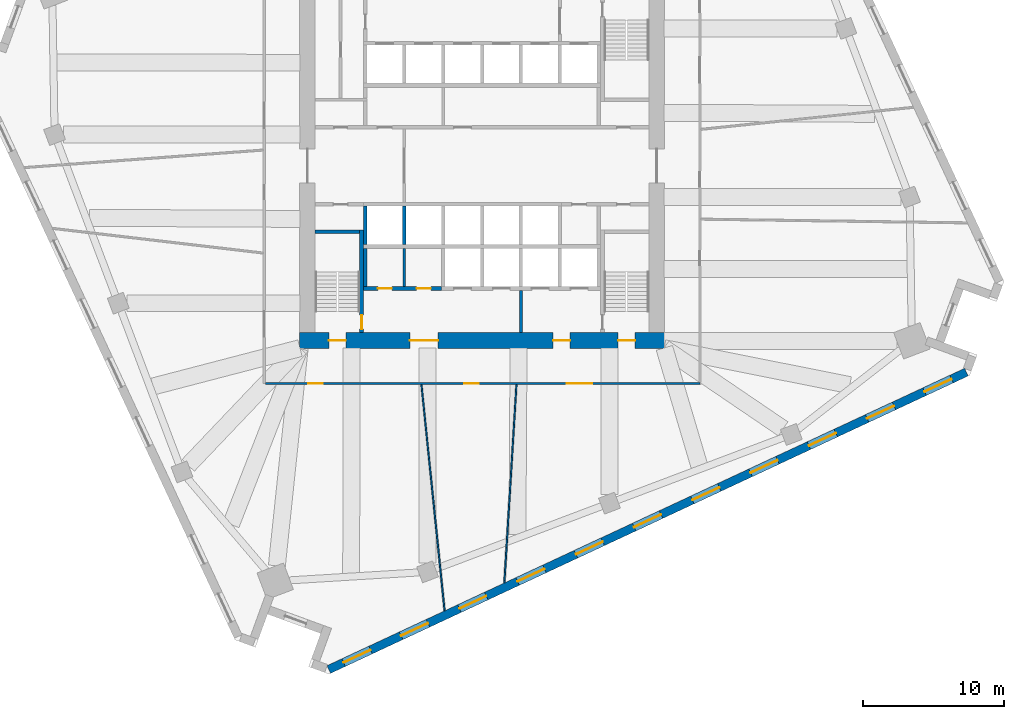
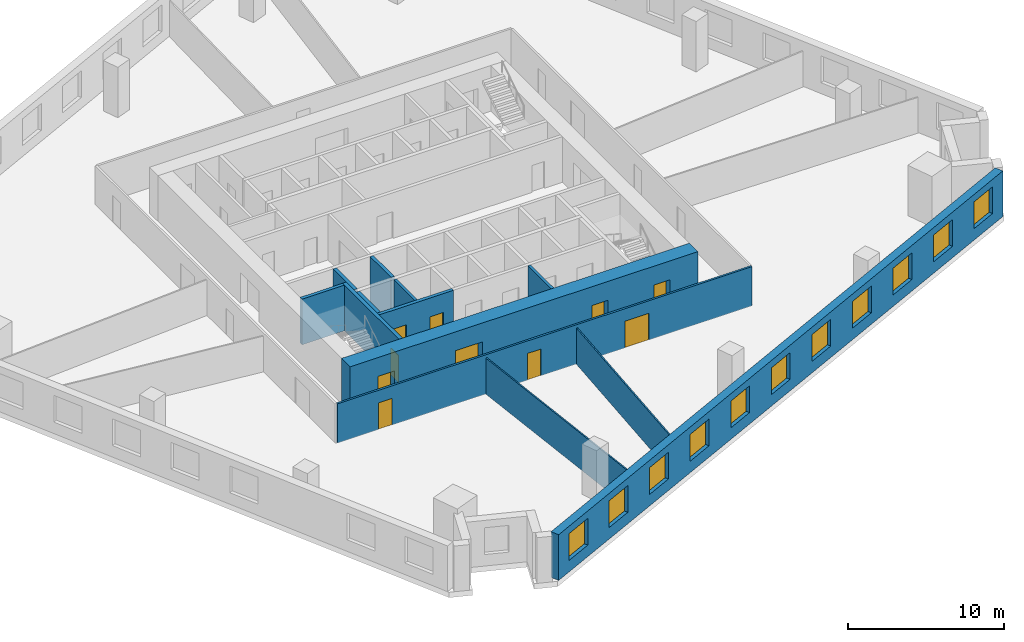
# One storey, part 6 of 12: 13 walls, 11 windows, 10 doors, 21 openings.
"""IFC4 building model written with IfcOpenShell, lengths in metres."""

import ifcopenshell
import ifcopenshell.guid

model = None  # the IFC model being written
_history = None  # IfcOwnerHistory: only IFC2X3 demands one
_inside = {}  # id of a spatial element -> (the spatial element, [elements in it])
_under = {}  # id of a project, library or spatial element -> (it, [spatial elements below it])
_declared = {}  # id of a project -> (the project, [libraries it declares])
_typed = {}  # id of a type object -> (the type object, [elements of that type])
_made_of = {}  # id of a material, layer set ... -> (it, [elements and type objects made of it])


def new_model(schema):
    """Start an empty IFC model of exactly this schema.

    Asked for "IFC4X3", IfcOpenShell would pick the latest addendum, in which some entities
    have other attributes; the version numbers below select the first issue.
    IFC2X3 requires an IfcOwnerHistory on every rooted entity: one is made here for all.
    """
    global model, _history
    if schema == "IFC4X3":
        model = ifcopenshell.file(schema_version=(4, 3, 0, 0))
    else:
        model = ifcopenshell.file(schema=schema)
    _inside.clear()
    _under.clear()
    _declared.clear()
    _typed.clear()
    _made_of.clear()
    _history = None
    if model.schema == "IFC2X3":
        org = make("IfcOrganization", Name="unknown")
        user = make(
            "IfcPersonAndOrganization",
            ThePerson=make("IfcPerson", FamilyName="unknown"),
            TheOrganization=org,
        )
        app = make(
            "IfcApplication",
            ApplicationDeveloper=org,
            Version="unknown",
            ApplicationFullName="unknown",
            ApplicationIdentifier="unknown",
        )
        _history = make(
            "IfcOwnerHistory",
            OwningUser=user,
            OwningApplication=app,
            ChangeAction="ADDED",
            CreationDate=0,
        )
    return model


def make(cls, **values):
    """One entity of the class cls with the attributes given. An attribute that is None is left unset."""
    return model.create_entity(
        cls, **{name: value for name, value in values.items() if value is not None}
    )


def rooted(cls, **values):
    """An entity with a GlobalId (a new one), such as an element, a storey or a relation."""
    return make(cls, GlobalId=ifcopenshell.guid.new(), OwnerHistory=_history, **values)


def si_unit(unit_type, name, prefix=None):
    """IfcSIUnit, for example si_unit("LENGTHUNIT", "METRE", prefix="MILLI")."""
    return make("IfcSIUnit", UnitType=unit_type, Prefix=prefix, Name=name)


def assignment(units):
    """IfcUnitAssignment: the units of a project."""
    return None if units is None else make("IfcUnitAssignment", Units=units)


def point(xyz):
    """IfcCartesianPoint."""
    return None if xyz is None else make("IfcCartesianPoint", Coordinates=xyz)


def direction(xyz):
    """IfcDirection."""
    return None if xyz is None else make("IfcDirection", DirectionRatios=xyz)


def frame(location, z_axis=None, x_axis=None):
    """IfcAxis2Placement3D, a coordinate frame: its origin and axes. An axis left out is left unset."""
    return make(
        "IfcAxis2Placement3D",
        Location=point(location),
        Axis=direction(z_axis),
        RefDirection=direction(x_axis),
    )


def frame_2d(location, x_axis=None):
    """IfcAxis2Placement2D, a coordinate frame in the plane: its origin and x axis."""
    return make(
        "IfcAxis2Placement2D", Location=point(location), RefDirection=direction(x_axis)
    )


def origin():
    """The frame at (0, 0, 0) with its axes left unset."""
    return frame((0.0, 0.0, 0.0))


def place(relative_to, where):
    """IfcLocalPlacement: puts the frame where relative to a parent placement (None: the world)."""
    return make(
        "IfcLocalPlacement", PlacementRelTo=relative_to, RelativePlacement=where
    )


def context(
    kind, dimensions, precision=None, world=None, true_north=None, identifier=None
):
    """IfcGeometricRepresentationContext, for example the 3D "Model" context."""
    return make(
        "IfcGeometricRepresentationContext",
        ContextIdentifier=identifier,
        ContextType=kind,
        CoordinateSpaceDimension=dimensions,
        Precision=precision,
        WorldCoordinateSystem=world,
        TrueNorth=true_north,
    )


def subcontext(parent, identifier, kind, view, scale=None):
    """IfcGeometricRepresentationSubContext, for example "Body" below "Model"."""
    return make(
        "IfcGeometricRepresentationSubContext",
        ContextIdentifier=identifier,
        ContextType=kind,
        ParentContext=parent,
        TargetScale=scale,
        TargetView=view,
    )


def project(units=None, contexts=None):
    """IfcProject with its units and contexts."""
    return rooted(
        "IfcProject",
        Name="project",
        RepresentationContexts=contexts,
        UnitsInContext=assignment(units),
    )


def spatial(cls, under=None, at=None, **own):
    """A site, building, storey or space (cls), placed at a placement, below another one or the project."""
    s = rooted(cls, ObjectPlacement=at, **own)
    if under is not None:
        _under.setdefault(under.id(), (under, []))[1].append(s)
    return s


def profile(cls, at=None, kind="AREA", **sizes):
    """A parametric profile (cls). Its sizes go by their IFC names, for example OverallWidth=200.0."""
    return make(cls, ProfileType=kind, Position=at, **sizes)


def rectangle(**sizes):
    """IfcRectangleProfileDef."""
    return profile("IfcRectangleProfileDef", **sizes)


def extrude(swept, where, along, depth):
    """IfcExtrudedAreaSolid: the profile swept, set in the frame where, extruded along a direction by depth."""
    return make(
        "IfcExtrudedAreaSolid",
        SweptArea=swept,
        Position=where,
        ExtrudedDirection=direction(along),
        Depth=depth,
    )


def shape(context_of_items, identifier, shape_type, items):
    """IfcShapeRepresentation: the items that make up one representation, for example the "Body"."""
    return make(
        "IfcShapeRepresentation",
        ContextOfItems=context_of_items,
        RepresentationIdentifier=identifier,
        RepresentationType=shape_type,
        Items=items,
    )


def material(Name=None, Category=None):
    """IfcMaterial."""
    return make("IfcMaterial", Name=Name, Category=Category)


def layer(
    of_material, thickness, ventilated=None, Name=None, Category=None, Priority=None
):
    """IfcMaterialLayer: one layer of a wall or slab, of a material (None: an air gap)."""
    return make(
        "IfcMaterialLayer",
        Material=of_material,
        LayerThickness=thickness,
        IsVentilated=ventilated,
        Name=Name,
        Category=Category,
        Priority=Priority,
    )


def layer_set(layers, Name=None):
    """IfcMaterialLayerSet."""
    return make("IfcMaterialLayerSet", MaterialLayers=layers, LayerSetName=Name)


def made_of(thing, what):
    """Note that an element or type object is made of a material, layer set ...; save() writes the relation."""
    if what is not None:
        _made_of.setdefault(what.id(), (what, []))[1].append(thing)
    return thing


def type_object(cls, material=None, **own):
    """A type object (cls), such as IfcWallType, which elements share."""
    return made_of(rooted(cls, **own), material)


def element(
    cls,
    number,
    at=None,
    inside=None,
    cuts=None,
    type_object=None,
    material=None,
    context=None,
    identifier="Body",
    shape_type=None,
    held_by="IfcProductDefinitionShape",
    body=None,
    shapes=None,
    **own,
):
    """One element of the class cls, such as IfcWall. Its Tag is "e" and its number.

    at: its placement. inside: the storey or other place that contains it. cuts: it is an
    opening in that element (IfcRelVoidsElement). A single representation is given by context,
    identifier, shape_type and body (its items); several are given by shapes. held_by: the class
    of the entity that holds the representations. save() writes the other relations.
    """
    e = rooted(cls, Tag="e%d" % number, ObjectPlacement=at, **own)
    if body is not None:
        shapes = [shape(context, identifier, shape_type, body)]
    if shapes is not None:
        e.Representation = make(held_by, Representations=shapes)
    if inside is not None:
        _inside.setdefault(inside.id(), (inside, []))[1].append(e)
    if cuts is not None:
        rooted(
            "IfcRelVoidsElement", RelatingBuildingElement=cuts, RelatedOpeningElement=e
        )
    if type_object is not None:
        _typed.setdefault(type_object.id(), (type_object, []))[1].append(e)
    return made_of(e, material)


def fill(opening, filler):
    """IfcRelFillsElement: the door or window that sits in an opening."""
    return rooted(
        "IfcRelFillsElement",
        RelatingOpeningElement=opening,
        RelatedBuildingElement=filler,
    )


def aggregate(whole, parts):
    """IfcRelAggregates: a whole, such as a stair, and the parts it consists of."""
    return rooted("IfcRelAggregates", RelatingObject=whole, RelatedObjects=parts)


def save(model, path):
    """Write the relations noted so far, then the file.

    IfcRelAggregates (storeys below a building ...), IfcRelContainedInSpatialStructure (elements
    in a storey), IfcRelDefinesByType, IfcRelAssociatesMaterial and IfcRelDeclares: one each for
    every whole, place, type object, material and project.
    """
    for whole, parts in _under.values():
        aggregate(whole, parts)
    for where, things in _inside.values():
        rooted(
            "IfcRelContainedInSpatialStructure",
            RelatedElements=things,
            RelatingStructure=where,
        )
    for kind, things in _typed.values():
        rooted("IfcRelDefinesByType", RelatedObjects=things, RelatingType=kind)
    for what, things in _made_of.values():
        rooted("IfcRelAssociatesMaterial", RelatedObjects=things, RelatingMaterial=what)
    for by, libraries in _declared.values():
        rooted("IfcRelDeclares", RelatingContext=by, RelatedDefinitions=libraries)
    model.write(path)


model = new_model("IFC4")

# Units and contexts
model_context = context("Model", 3, precision=1e-05, world=origin(), true_north=direction((0.0, 1.0)))
body_context = subcontext(model_context, "Body", "Model", "MODEL_VIEW")
ifc_project = project(units=[si_unit("LENGTHUNIT", "METRE"), si_unit("AREAUNIT", "SQUARE_METRE"), si_unit("VOLUMEUNIT", "CUBIC_METRE"), si_unit("PLANEANGLEUNIT", "RADIAN"), si_unit("MASSUNIT", "GRAM", prefix="KILO")], contexts=[model_context])

# Site, building, storey
site_placement = place(None, origin())
site = spatial("IfcSite", under=ifc_project, at=site_placement, CompositionType="ELEMENT")
building_placement = place(site_placement, origin())
building = spatial("IfcBuilding", under=site, at=building_placement, Name="Dilmun Exchange Tower", CompositionType="ELEMENT")
storey_placement = place(building_placement, frame((0.0, 0.0, 122.10009765625)))
storey = spatial("IfcBuildingStorey", under=building, at=storey_placement, Name="L28", CompositionType="ELEMENT", Elevation=122.10009765625)

# Walls
ifc_material_1 = material(Name="Concrete C40/50", Category="concrete")
ifc_layer_1 = layer(ifc_material_1, 0.199951171875)
ifc_layer_set_1 = layer_set([ifc_layer_1], Name="Concrete C40/50")
wall_type_1 = type_object("IfcWallType", Name="Core partition wall 200", PredefinedType="PARTITIONING", material=ifc_layer_set_1)
wall_1_placement = place(storey_placement, frame((2.75, -11.794921875, 0.0), z_axis=(0.0, 0.0, 1.0), x_axis=(0.0, 1.0, 0.0)))
element("IfcWall", 1, at=wall_1_placement, inside=storey, type_object=wall_type_1, Name="L28 core partition wall 01", PredefinedType="PARTITIONING", context=body_context, shape_type="SweptSolid", body=[
    extrude(rectangle(XDim=2.989990234375, YDim=0.199951171875, at=frame_2d((1.4951171875, 0.0))), origin(), (0.0, 0.0, 1.0), 3.579833984375),
])
wall_2_placement = place(storey_placement, frame((-5.5, -8.544921875, 0.0), z_axis=(0.0, 0.0, 1.0), x_axis=(0.0, 1.0, 0.0)))
element("IfcWall", 2, at=wall_2_placement, inside=storey, type_object=wall_type_1, Name="L28 core partition wall 04", PredefinedType="PARTITIONING", context=body_context, shape_type="SweptSolid", body=[
    extrude(rectangle(XDim=2.68994140625, YDim=0.199951171875, at=frame_2d((1.344970703125, 0.0))), origin(), (0.0, 0.0, 1.0), 3.579833984375),
])

# Wall, openings, doors
ifc_layer_2 = layer(ifc_material_1, 0.25)
ifc_layer_set_2 = layer_set([ifc_layer_2], Name="Concrete C40/50")
wall_type_2 = type_object("IfcWallType", Name="Core partition wall 250", PredefinedType="PARTITIONING", material=ifc_layer_set_2)
wall_3_placement = place(storey_placement, frame((-8.3701171875, -8.675048828125, 0.0), z_axis=(0.0, 0.0, 1.0), x_axis=(1.0, 0.0, 0.0)))
wall_3 = element("IfcWall", 3, at=wall_3_placement, inside=storey, type_object=wall_type_2, Name="L28 core partition wall 02", PredefinedType="PARTITIONING", context=body_context, shape_type="SweptSolid", body=[
    extrude(rectangle(XDim=5.490234375, YDim=0.25, at=frame_2d((2.7451171875, 0.0))), origin(), (0.0, 0.0, 1.0), 3.579833984375),
])
opening_1_placement = place(wall_3_placement, frame((0.9951171875, 0.0, 0.0)))
opening_1 = element("IfcOpeningElement", 4, at=opening_1_placement, cuts=wall_3, Name="Opening CD4", PredefinedType="OPENING", context=body_context, shape_type="SweptSolid", body=[
    extrude(rectangle(XDim=1.0, YDim=2.10009765625, at=frame_2d((0.5, 1.050048828125))), frame((0.0, 0.135009765625, 0.0), z_axis=(0.0, -1.0, 0.0), x_axis=(1.0, 0.0, 0.0)), (0.0, 0.0, 1.0), 0.27001953125),
])
opening_2_placement = place(wall_3_placement, frame((3.7451171875, 0.0, 0.0)))
opening_2 = element("IfcOpeningElement", 5, at=opening_2_placement, cuts=wall_3, Name="Opening CD4", PredefinedType="OPENING", context=body_context, shape_type="SweptSolid", body=[
    extrude(rectangle(XDim=1.0, YDim=2.10009765625, at=frame_2d((0.5, 1.050048828125))), frame((0.0, 0.135009765625, 0.0), z_axis=(0.0, -1.0, 0.0), x_axis=(1.0, 0.0, 0.0)), (0.0, 0.0, 1.0), 0.27001953125),
])
ifc_material_2 = material(Name="Fire-rated steel door set", Category="steel")
door_type_1 = type_object("IfcDoorType", Name="Core room door 1000x2100", OperationType="SINGLE_SWING_LEFT", PredefinedType="DOOR", material=ifc_material_2)
door_1_placement = place(opening_1_placement, origin())
door_1 = element("IfcDoor", 6, at=door_1_placement, inside=storey, type_object=door_type_1, Name="L28 door Male WC", OperationType="SINGLE_SWING_LEFT", OverallHeight=2.10009765625, OverallWidth=1.0, PredefinedType="DOOR", context=body_context, shape_type="SweptSolid", body=[
    extrude(rectangle(XDim=1.0, YDim=2.10009765625, at=frame_2d((0.5, 1.050048828125))), frame((0.0, 0.02490234375, 0.0), z_axis=(0.0, -1.0, 0.0), x_axis=(1.0, 0.0, 0.0)), (0.0, 0.0, 1.0), 0.050048828125),
])
fill(opening_1, door_1)
door_2_placement = place(opening_2_placement, origin())
door_2 = element("IfcDoor", 7, at=door_2_placement, inside=storey, type_object=door_type_1, Name="L28 door Female WC", OperationType="SINGLE_SWING_LEFT", OverallHeight=2.10009765625, OverallWidth=1.0, PredefinedType="DOOR", context=body_context, shape_type="SweptSolid", body=[
    extrude(rectangle(XDim=1.0, YDim=2.10009765625, at=frame_2d((0.5, 1.050048828125))), frame((0.0, 0.02490234375, 0.0), z_axis=(0.0, -1.0, 0.0), x_axis=(1.0, 0.0, 0.0)), (0.0, 0.0, 1.0), 0.050048828125),
])
fill(opening_2, door_2)

# Wall
wall_4_placement = place(storey_placement, frame((-8.25, -8.544921875, 0.0), z_axis=(0.0, 0.0, 1.0), x_axis=(0.0, 1.0, 0.0)))
element("IfcWall", 8, at=wall_4_placement, inside=storey, type_object=wall_type_2, Name="L28 core partition wall 03", PredefinedType="PARTITIONING", context=body_context, shape_type="SweptSolid", body=[
    extrude(rectangle(XDim=2.68994140625, YDim=0.25, at=frame_2d((1.344970703125, 0.0))), origin(), (0.0, 0.0, 1.0), 3.579833984375),
])

# Wall, openings, doors
ifc_material_3 = material(Name="Concrete C80/95", Category="concrete")
ifc_layer_3 = layer(ifc_material_3, 1.10009765625)
ifc_layer_set_3 = layer_set([ifc_layer_3], Name="Concrete C80/95")
wall_type_3 = type_object("IfcWallType", Name="Core shear wall 1100 Concrete C80/95", PredefinedType="SHEAR", material=ifc_layer_set_3)
wall_5_placement = place(storey_placement, frame((-12.89990234375, -12.35009765625, 0.0), z_axis=(0.0, 0.0, 1.0), x_axis=(1.0, 0.0, 0.0)))
wall_5 = element("IfcWall", 9, at=wall_5_placement, inside=storey, type_object=wall_type_3, Name="L28 core shear wall S", PredefinedType="SHEAR", context=body_context, shape_type="SweptSolid", body=[
    extrude(rectangle(XDim=25.7998046875, YDim=1.10009765625, at=frame_2d((12.89990234375, 0.0))), origin(), (0.0, 0.0, 1.0), 3.579833984375),
])
opening_3_placement = place(wall_5_placement, frame((7.800048828125, 0.0, 0.0)))
opening_3 = element("IfcOpeningElement", 10, at=opening_3_placement, cuts=wall_5, Name="Opening CD2", PredefinedType="OPENING", context=body_context, shape_type="SweptSolid", body=[
    extrude(rectangle(XDim=2.0, YDim=2.10009765625, at=frame_2d((1.0, 1.050048828125))), frame((0.0, 0.56005859375, 0.0), z_axis=(0.0, -1.0, 0.0), x_axis=(1.0, 0.0, 0.0)), (0.0, 0.0, 1.0), 1.1201171875),
])
opening_4_placement = place(wall_5_placement, frame((17.925048828125, 0.0, 0.0)))
opening_4 = element("IfcOpeningElement", 11, at=opening_4_placement, cuts=wall_5, Name="Opening CD3", PredefinedType="OPENING", context=body_context, shape_type="SweptSolid", body=[
    extrude(rectangle(XDim=1.199951171875, YDim=2.10009765625, at=frame_2d((0.60009765625, 1.050048828125))), frame((0.0, 0.56005859375, 0.0), z_axis=(0.0, -1.0, 0.0), x_axis=(1.0, 0.0, 0.0)), (0.0, 0.0, 1.0), 1.1201171875),
])
opening_5_placement = place(wall_5_placement, frame((2.074951171875, 0.0, 0.0)))
opening_5 = element("IfcOpeningElement", 12, at=opening_5_placement, cuts=wall_5, Name="Opening CD3", PredefinedType="OPENING", context=body_context, shape_type="SweptSolid", body=[
    extrude(rectangle(XDim=1.199951171875, YDim=2.10009765625, at=frame_2d((0.60009765625, 1.050048828125))), frame((0.0, 0.56005859375, 0.0), z_axis=(0.0, -1.0, 0.0), x_axis=(1.0, 0.0, 0.0)), (0.0, 0.0, 1.0), 1.1201171875),
])
opening_6_placement = place(wall_5_placement, frame((22.52490234375, 0.0, 0.0)))
opening_6 = element("IfcOpeningElement", 13, at=opening_6_placement, cuts=wall_5, Name="Opening CD3", PredefinedType="OPENING", context=body_context, shape_type="SweptSolid", body=[
    extrude(rectangle(XDim=1.199951171875, YDim=2.10009765625, at=frame_2d((0.60009765625, 1.050048828125))), frame((0.0, 0.56005859375, 0.0), z_axis=(0.0, -1.0, 0.0), x_axis=(1.0, 0.0, 0.0)), (0.0, 0.0, 1.0), 1.1201171875),
])
door_type_2 = type_object("IfcDoorType", Name="Core service door 2000x2100", OperationType="DOUBLE_DOOR_DOUBLE_SWING", PredefinedType="DOOR", material=ifc_material_2)
door_3_placement = place(opening_3_placement, origin())
door_3 = element("IfcDoor", 14, at=door_3_placement, inside=storey, type_object=door_type_2, Name="L28 door South service lobby", OperationType="SINGLE_SWING_LEFT", OverallHeight=2.10009765625, OverallWidth=2.0, PredefinedType="DOOR", context=body_context, shape_type="SweptSolid", body=[
    extrude(rectangle(XDim=2.0, YDim=2.10009765625, at=frame_2d((1.0, 1.050048828125))), frame((0.0, 0.02490234375, 0.0), z_axis=(0.0, -1.0, 0.0), x_axis=(1.0, 0.0, 0.0)), (0.0, 0.0, 1.0), 0.050048828125),
])
fill(opening_3, door_3)
door_type_3 = type_object("IfcDoorType", Name="Stair exit door 1200x2100", OperationType="SINGLE_SWING_LEFT", PredefinedType="DOOR", material=ifc_material_2)
door_4_placement = place(opening_4_placement, origin())
door_4 = element("IfcDoor", 15, at=door_4_placement, inside=storey, type_object=door_type_3, Name="L28 door Fire-fighting lobby", OperationType="SINGLE_SWING_LEFT", OverallHeight=2.10009765625, OverallWidth=1.199951171875, PredefinedType="DOOR", context=body_context, shape_type="SweptSolid", body=[
    extrude(rectangle(XDim=1.199951171875, YDim=2.10009765625, at=frame_2d((0.60009765625, 1.050048828125))), frame((0.0, 0.02490234375, 0.0), z_axis=(0.0, -1.0, 0.0), x_axis=(1.0, 0.0, 0.0)), (0.0, 0.0, 1.0), 0.050048828125),
])
fill(opening_4, door_4)
door_5_placement = place(opening_5_placement, origin())
door_5 = element("IfcDoor", 16, at=door_5_placement, inside=storey, type_object=door_type_3, Name="L28 door Stair ST2", OperationType="SINGLE_SWING_LEFT", OverallHeight=2.10009765625, OverallWidth=1.199951171875, PredefinedType="DOOR", context=body_context, shape_type="SweptSolid", body=[
    extrude(rectangle(XDim=1.199951171875, YDim=2.10009765625, at=frame_2d((0.60009765625, 1.050048828125))), frame((0.0, 0.02490234375, 0.0), z_axis=(0.0, -1.0, 0.0), x_axis=(1.0, 0.0, 0.0)), (0.0, 0.0, 1.0), 0.050048828125),
])
fill(opening_5, door_5)
door_6_placement = place(opening_6_placement, origin())
door_6 = element("IfcDoor", 17, at=door_6_placement, inside=storey, type_object=door_type_3, Name="L28 door Stair ST3", OperationType="SINGLE_SWING_LEFT", OverallHeight=2.10009765625, OverallWidth=1.199951171875, PredefinedType="DOOR", context=body_context, shape_type="SweptSolid", body=[
    extrude(rectangle(XDim=1.199951171875, YDim=2.10009765625, at=frame_2d((0.60009765625, 1.050048828125))), frame((0.0, 0.02490234375, 0.0), z_axis=(0.0, -1.0, 0.0), x_axis=(1.0, 0.0, 0.0)), (0.0, 0.0, 1.0), 0.050048828125),
])
fill(opening_6, door_6)

ifc_material_4 = material(Name="Corridor wall 150")
ifc_layer_4 = layer(ifc_material_4, 0.14990234375)
ifc_layer_set_4 = layer_set([ifc_layer_4], Name="Corridor wall 150")
wall_type_4 = type_object("IfcWallType", Name="Corridor wall 150", PredefinedType="PARTITIONING", material=ifc_layer_set_4)
wall_6_placement = place(storey_placement, frame((-15.324951171875, -15.39990234375, 0.0), z_axis=(0.0, 0.0, 1.0), x_axis=(1.0, 0.0, 0.0)))
wall_6 = element("IfcWall", 18, at=wall_6_placement, inside=storey, type_object=wall_type_4, Name="Corridor wall", PredefinedType="PARTITIONING", context=body_context, shape_type="SweptSolid", body=[
    extrude(rectangle(XDim=30.724853515625, YDim=0.14990234375, at=frame_2d((15.3623046875, 0.0))), origin(), (0.0, 0.0, 1.0), 3.079833984375),
])
opening_7_placement = place(wall_6_placement, frame((3.050048828125, 0.0, 0.0)))
opening_7 = element("IfcOpeningElement", 19, at=opening_7_placement, cuts=wall_6, Name="Opening TF28-D05", PredefinedType="OPENING", context=body_context, shape_type="SweptSolid", body=[
    extrude(rectangle(XDim=1.0, YDim=2.10009765625, at=frame_2d((0.5, 1.050048828125))), frame((0.0, 0.0849609375, 0.0), z_axis=(0.0, -1.0, 0.0), x_axis=(1.0, 0.0, 0.0)), (0.0, 0.0, 1.0), 0.169921875),
])
opening_8_placement = place(wall_6_placement, frame((14.08056640625, 0.0, 0.0)))
opening_8 = element("IfcOpeningElement", 20, at=opening_8_placement, cuts=wall_6, Name="Opening TF28-D06", PredefinedType="OPENING", context=body_context, shape_type="SweptSolid", body=[
    extrude(rectangle(XDim=1.0, YDim=2.10009765625, at=frame_2d((0.5, 1.050048828125))), frame((0.0, 0.0849609375, 0.0), z_axis=(0.0, -1.0, 0.0), x_axis=(1.0, 0.0, 0.0)), (0.0, 0.0, 1.0), 0.169921875),
])
opening_9_placement = place(wall_6_placement, frame((21.308837890625, 0.0, 0.0)))
opening_9 = element("IfcOpeningElement", 21, at=opening_9_placement, cuts=wall_6, Name="Opening TF28-D10", PredefinedType="OPENING", context=body_context, shape_type="SweptSolid", body=[
    extrude(rectangle(XDim=1.800048828125, YDim=2.10009765625, at=frame_2d((0.89990234375, 1.050048828125))), frame((0.0, 0.0849609375, 0.0), z_axis=(0.0, -1.0, 0.0), x_axis=(1.0, 0.0, 0.0)), (0.0, 0.0, 1.0), 0.169921875),
])
ifc_material_5 = material(Name="Fire door 1000 x 2100")
door_type_4 = type_object("IfcDoorType", Name="Fire door 1000 x 2100", OperationType="NOTDEFINED", PredefinedType="DOOR", material=ifc_material_5)
door_7_placement = place(opening_7_placement, frame((1.0, 0.0, 0.0), z_axis=(0.0, 0.0, 1.0), x_axis=(-1.0, 0.0, 0.0)))
door_7 = element("IfcDoor", 22, at=door_7_placement, inside=storey, type_object=door_type_4, Name="Door TF28-D05", OperationType="SINGLE_SWING_RIGHT", OverallHeight=2.10009765625, OverallWidth=1.0, PredefinedType="DOOR", context=body_context, shape_type="SweptSolid", body=[
    extrude(rectangle(XDim=1.0, YDim=2.10009765625, at=frame_2d((0.5, 1.050048828125))), frame((0.0, 0.02490234375, 0.0), z_axis=(0.0, -1.0, 0.0), x_axis=(1.0, 0.0, 0.0)), (0.0, 0.0, 1.0), 0.050048828125),
])
fill(opening_7, door_7)
door_8_placement = place(opening_8_placement, frame((1.0, 0.0, 0.0), z_axis=(0.0, 0.0, 1.0), x_axis=(-1.0, 0.0, 0.0)))
door_8 = element("IfcDoor", 23, at=door_8_placement, inside=storey, type_object=door_type_4, Name="Door TF28-D06", OperationType="SINGLE_SWING_RIGHT", OverallHeight=2.10009765625, OverallWidth=1.0, PredefinedType="DOOR", context=body_context, shape_type="SweptSolid", body=[
    extrude(rectangle(XDim=1.0, YDim=2.10009765625, at=frame_2d((0.5, 1.050048828125))), frame((0.0, 0.02490234375, 0.0), z_axis=(0.0, -1.0, 0.0), x_axis=(1.0, 0.0, 0.0)), (0.0, 0.0, 1.0), 0.050048828125),
])
fill(opening_8, door_8)
ifc_material_6 = material(Name="Fire door pair 1800 x 2100")
door_type_5 = type_object("IfcDoorType", Name="Fire door pair 1800 x 2100", OperationType="NOTDEFINED", PredefinedType="DOOR", material=ifc_material_6)
door_9_placement = place(opening_9_placement, frame((1.800048828125, 0.0, 0.0), z_axis=(0.0, 0.0, 1.0), x_axis=(-1.0, 0.0, 0.0)))
door_9 = element("IfcDoor", 24, at=door_9_placement, inside=storey, type_object=door_type_5, Name="Door TF28-D10", OperationType="DOUBLE_DOOR_SINGLE_SWING", OverallHeight=2.10009765625, OverallWidth=1.800048828125, PredefinedType="DOOR", context=body_context, shape_type="SweptSolid", body=[
    extrude(rectangle(XDim=1.800048828125, YDim=2.10009765625, at=frame_2d((0.89990234375, 1.050048828125))), frame((0.0, 0.02490234375, 0.0), z_axis=(0.0, -1.0, 0.0), x_axis=(1.0, 0.0, 0.0)), (0.0, 0.0, 1.0), 0.050048828125),
])
fill(opening_9, door_9)

# Walls
ifc_layer_5 = layer(ifc_material_1, 0.25)
ifc_layer_set_5 = layer_set([ifc_layer_5], Name="Concrete C40/50")
wall_type_5 = type_object("IfcWallType", Name="Lift shaft wall 250", PredefinedType="SOLIDWALL", material=ifc_layer_set_5)
for number, where, z_axis, x_axis, name in (
    (25, (-8.25, -5.550048828125, 0.0), (0.0, 0.0, 1.0), (0.0, 1.0, 0.0), "L28 lift shaft divider S10"),
    (26, (-5.5, -5.550048828125, 0.0), (0.0, 0.0, 1.0), (0.0, 1.0, 0.0), "L28 lift shaft divider S11"),
):
    element("IfcWall", number, at=place(storey_placement, frame(where, z_axis=z_axis, x_axis=x_axis)), inside=storey, type_object=wall_type_5, Name=name, PredefinedType="SOLIDWALL", context=body_context, shape_type="SweptSolid", body=[
        extrude(rectangle(XDim=2.699951171875, YDim=0.25, at=frame_2d((1.35009765625, 0.0))), origin(), (0.0, 0.0, 1.0), 3.579833984375),
    ])
ifc_material_7 = material(Name="Partition 100")
ifc_layer_6 = layer(ifc_material_7, 0.10009765625)
ifc_layer_set_6 = layer_set([ifc_layer_6], Name="Partition 100")
wall_type_6 = type_object("IfcWallType", Name="Partition 100", PredefinedType="PARTITIONING", material=ifc_layer_set_6)
wall_7_placement = place(storey_placement, frame((-4.285888671875, -15.47998046875, 0.0), z_axis=(0.0, 0.0, 1.0), x_axis=(0.101806428454, -0.994804227537, 0.0)))
element("IfcWall", 27, at=wall_7_placement, inside=storey, type_object=wall_type_6, Name="Partition", PredefinedType="PARTITIONING", context=body_context, shape_type="SweptSolid", body=[
    extrude(rectangle(XDim=16.069580078125, YDim=0.10009765625, at=frame_2d((8.03466796875, 0.0))), origin(), (0.0, 0.0, 1.0), 2.829833984375),
])
wall_8_placement = place(storey_placement, frame((1.57568359375, -29.49560546875, 0.0), z_axis=(0.0, 0.0, 1.0), x_axis=(0.06091495283, 0.998142959962, 0.0)))
element("IfcWall", 28, at=wall_8_placement, inside=storey, type_object=wall_type_6, Name="Partition", PredefinedType="PARTITIONING", context=body_context, shape_type="SweptSolid", body=[
    extrude(rectangle(XDim=14.043701171875, YDim=0.10009765625, at=frame_2d((7.02197265625, 0.0))), origin(), (0.0, 0.0, 1.0), 2.829833984375),
])

# Wall, openings, windows
ifc_material_8 = material(Name="Precast concrete C50/60", Category="concrete")
ifc_layer_7 = layer(ifc_material_8, 0.60009765625)
ifc_layer_set_7 = layer_set([ifc_layer_7], Name="Precast concrete C50/60")
wall_type_7 = type_object("IfcWallType", Name="Precast stone-clad wall 600", PredefinedType="STANDARD", material=ifc_layer_set_7)
wall_9_placement = place(storey_placement, frame((-10.83837890625, -35.61767578125, 0.0), z_axis=(0.0, 0.0, 1.0), x_axis=(0.906307589826, 0.422618684659, 0.0)))
wall_9 = element("IfcWall", 29, at=wall_9_placement, inside=storey, type_object=wall_type_7, Name="Facade wall L28-15", PredefinedType="STANDARD", context=body_context, shape_type="SweptSolid", body=[
    extrude(rectangle(XDim=49.75146484375, YDim=0.60009765625, at=frame_2d((24.875732421875, 0.0))), origin(), (0.0, 0.0, 1.0), 3.579833984375),
])
opening_10_placement = place(wall_9_placement, frame((1.16064453125, 0.0, 0.89990234375)))
opening_10 = element("IfcOpeningElement", 30, at=opening_10_placement, cuts=wall_9, Name="Opening W210-210", PredefinedType="OPENING", context=body_context, shape_type="SweptSolid", body=[
    extrude(rectangle(XDim=2.10009765625, YDim=2.10009765625, at=frame_2d((1.050048828125, 1.050048828125))), frame((0.0, 0.31005859375, 0.0), z_axis=(0.0, -1.0, 0.0), x_axis=(1.0, 0.0, 0.0)), (0.0, 0.0, 1.0), 0.6201171875),
])
opening_11_placement = place(wall_9_placement, frame((5.643798828125, 0.0, 0.89990234375)))
opening_11 = element("IfcOpeningElement", 31, at=opening_11_placement, cuts=wall_9, Name="Opening W210-210", PredefinedType="OPENING", context=body_context, shape_type="SweptSolid", body=[
    extrude(rectangle(XDim=2.10009765625, YDim=2.10009765625, at=frame_2d((1.050048828125, 1.050048828125))), frame((0.0, 0.31005859375, 0.0), z_axis=(0.0, -1.0, 0.0), x_axis=(1.0, 0.0, 0.0)), (0.0, 0.0, 1.0), 0.6201171875),
])
opening_12_placement = place(wall_9_placement, frame((10.189453125, 0.0, 0.89990234375)))
opening_12 = element("IfcOpeningElement", 32, at=opening_12_placement, cuts=wall_9, Name="Opening W210-210", PredefinedType="OPENING", context=body_context, shape_type="SweptSolid", body=[
    extrude(rectangle(XDim=2.10009765625, YDim=2.10009765625, at=frame_2d((1.050048828125, 1.050048828125))), frame((0.0, 0.31005859375, 0.0), z_axis=(0.0, -1.0, 0.0), x_axis=(1.0, 0.0, 0.0)), (0.0, 0.0, 1.0), 0.6201171875),
])
opening_13_placement = place(wall_9_placement, frame((14.73486328125, 0.0, 0.89990234375)))
opening_13 = element("IfcOpeningElement", 33, at=opening_13_placement, cuts=wall_9, Name="Opening W210-210", PredefinedType="OPENING", context=body_context, shape_type="SweptSolid", body=[
    extrude(rectangle(XDim=2.10009765625, YDim=2.10009765625, at=frame_2d((1.050048828125, 1.050048828125))), frame((0.0, 0.31005859375, 0.0), z_axis=(0.0, -1.0, 0.0), x_axis=(1.0, 0.0, 0.0)), (0.0, 0.0, 1.0), 0.6201171875),
])
opening_14_placement = place(wall_9_placement, frame((19.2802734375, 0.0, 0.89990234375)))
opening_14 = element("IfcOpeningElement", 34, at=opening_14_placement, cuts=wall_9, Name="Opening W210-210", PredefinedType="OPENING", context=body_context, shape_type="SweptSolid", body=[
    extrude(rectangle(XDim=2.10009765625, YDim=2.10009765625, at=frame_2d((1.050048828125, 1.050048828125))), frame((0.0, 0.31005859375, 0.0), z_axis=(0.0, -1.0, 0.0), x_axis=(1.0, 0.0, 0.0)), (0.0, 0.0, 1.0), 0.6201171875),
])
opening_15_placement = place(wall_9_placement, frame((23.82568359375, 0.0, 0.89990234375)))
opening_15 = element("IfcOpeningElement", 35, at=opening_15_placement, cuts=wall_9, Name="Opening W210-210", PredefinedType="OPENING", context=body_context, shape_type="SweptSolid", body=[
    extrude(rectangle(XDim=2.10009765625, YDim=2.10009765625, at=frame_2d((1.050048828125, 1.050048828125))), frame((0.0, 0.31005859375, 0.0), z_axis=(0.0, -1.0, 0.0), x_axis=(1.0, 0.0, 0.0)), (0.0, 0.0, 1.0), 0.6201171875),
])
opening_16_placement = place(wall_9_placement, frame((28.37109375, 0.0, 0.89990234375)))
opening_16 = element("IfcOpeningElement", 36, at=opening_16_placement, cuts=wall_9, Name="Opening W210-210", PredefinedType="OPENING", context=body_context, shape_type="SweptSolid", body=[
    extrude(rectangle(XDim=2.10009765625, YDim=2.10009765625, at=frame_2d((1.050048828125, 1.050048828125))), frame((0.0, 0.31005859375, 0.0), z_axis=(0.0, -1.0, 0.0), x_axis=(1.0, 0.0, 0.0)), (0.0, 0.0, 1.0), 0.6201171875),
])
opening_17_placement = place(wall_9_placement, frame((32.91650390625, 0.0, 0.89990234375)))
opening_17 = element("IfcOpeningElement", 37, at=opening_17_placement, cuts=wall_9, Name="Opening W210-210", PredefinedType="OPENING", context=body_context, shape_type="SweptSolid", body=[
    extrude(rectangle(XDim=2.10009765625, YDim=2.10009765625, at=frame_2d((1.050048828125, 1.050048828125))), frame((0.0, 0.31005859375, 0.0), z_axis=(0.0, -1.0, 0.0), x_axis=(1.0, 0.0, 0.0)), (0.0, 0.0, 1.0), 0.6201171875),
])
opening_18_placement = place(wall_9_placement, frame((37.462158203125, 0.0, 0.89990234375)))
opening_18 = element("IfcOpeningElement", 38, at=opening_18_placement, cuts=wall_9, Name="Opening W210-210", PredefinedType="OPENING", context=body_context, shape_type="SweptSolid", body=[
    extrude(rectangle(XDim=2.10009765625, YDim=2.10009765625, at=frame_2d((1.050048828125, 1.050048828125))), frame((0.0, 0.31005859375, 0.0), z_axis=(0.0, -1.0, 0.0), x_axis=(1.0, 0.0, 0.0)), (0.0, 0.0, 1.0), 0.6201171875),
])
opening_19_placement = place(wall_9_placement, frame((42.007568359375, 0.0, 0.89990234375)))
opening_19 = element("IfcOpeningElement", 39, at=opening_19_placement, cuts=wall_9, Name="Opening W210-210", PredefinedType="OPENING", context=body_context, shape_type="SweptSolid", body=[
    extrude(rectangle(XDim=2.10009765625, YDim=2.10009765625, at=frame_2d((1.050048828125, 1.050048828125))), frame((0.0, 0.31005859375, 0.0), z_axis=(0.0, -1.0, 0.0), x_axis=(1.0, 0.0, 0.0)), (0.0, 0.0, 1.0), 0.6201171875),
])
opening_20_placement = place(wall_9_placement, frame((46.490966796875, 0.0, 0.89990234375)))
opening_20 = element("IfcOpeningElement", 40, at=opening_20_placement, cuts=wall_9, Name="Opening W210-210", PredefinedType="OPENING", context=body_context, shape_type="SweptSolid", body=[
    extrude(rectangle(XDim=2.10009765625, YDim=2.10009765625, at=frame_2d((1.050048828125, 1.050048828125))), frame((0.0, 0.31005859375, 0.0), z_axis=(0.0, -1.0, 0.0), x_axis=(1.0, 0.0, 0.0)), (0.0, 0.0, 1.0), 0.6201171875),
])
ifc_material_9 = material(Name="Clear low-emissivity glass in aluminium frame", Category="aluminium")
window_type = type_object("IfcWindowType", Name="Punched window 2100 x 2100", PartitioningType="DOUBLE_PANEL_VERTICAL", PredefinedType="WINDOW", material=ifc_material_9)
window_1_placement = place(opening_10_placement, origin())
window_1 = element("IfcWindow", 41, at=window_1_placement, inside=storey, type_object=window_type, Name="Window 16.1", OverallHeight=2.10009765625, OverallWidth=2.10009765625, PartitioningType="SINGLE_PANEL", PredefinedType="WINDOW", context=body_context, shape_type="SweptSolid", body=[
    extrude(rectangle(XDim=2.10009765625, YDim=2.10009765625, at=frame_2d((1.050048828125, 1.050048828125))), frame((0.0, 0.030029296875, 0.0), z_axis=(0.0, -1.0, 0.0), x_axis=(1.0, 0.0, 0.0)), (0.0, 0.0, 1.0), 0.06005859375),
])
fill(opening_10, window_1)
window_2_placement = place(opening_11_placement, origin())
window_2 = element("IfcWindow", 42, at=window_2_placement, inside=storey, type_object=window_type, Name="Window 16.2", OverallHeight=2.10009765625, OverallWidth=2.10009765625, PartitioningType="SINGLE_PANEL", PredefinedType="WINDOW", context=body_context, shape_type="SweptSolid", body=[
    extrude(rectangle(XDim=2.10009765625, YDim=2.10009765625, at=frame_2d((1.050048828125, 1.050048828125))), frame((0.0, 0.030029296875, 0.0), z_axis=(0.0, -1.0, 0.0), x_axis=(1.0, 0.0, 0.0)), (0.0, 0.0, 1.0), 0.06005859375),
])
fill(opening_11, window_2)
window_3_placement = place(opening_12_placement, origin())
window_3 = element("IfcWindow", 43, at=window_3_placement, inside=storey, type_object=window_type, Name="Window 16.3", OverallHeight=2.10009765625, OverallWidth=2.10009765625, PartitioningType="SINGLE_PANEL", PredefinedType="WINDOW", context=body_context, shape_type="SweptSolid", body=[
    extrude(rectangle(XDim=2.10009765625, YDim=2.10009765625, at=frame_2d((1.050048828125, 1.050048828125))), frame((0.0, 0.030029296875, 0.0), z_axis=(0.0, -1.0, 0.0), x_axis=(1.0, 0.0, 0.0)), (0.0, 0.0, 1.0), 0.06005859375),
])
fill(opening_12, window_3)
window_4_placement = place(opening_13_placement, origin())
window_4 = element("IfcWindow", 44, at=window_4_placement, inside=storey, type_object=window_type, Name="Window 16.4", OverallHeight=2.10009765625, OverallWidth=2.10009765625, PartitioningType="SINGLE_PANEL", PredefinedType="WINDOW", context=body_context, shape_type="SweptSolid", body=[
    extrude(rectangle(XDim=2.10009765625, YDim=2.10009765625, at=frame_2d((1.050048828125, 1.050048828125))), frame((0.0, 0.030029296875, 0.0), z_axis=(0.0, -1.0, 0.0), x_axis=(1.0, 0.0, 0.0)), (0.0, 0.0, 1.0), 0.06005859375),
])
fill(opening_13, window_4)
window_5_placement = place(opening_14_placement, origin())
window_5 = element("IfcWindow", 45, at=window_5_placement, inside=storey, type_object=window_type, Name="Window 16.5", OverallHeight=2.10009765625, OverallWidth=2.10009765625, PartitioningType="SINGLE_PANEL", PredefinedType="WINDOW", context=body_context, shape_type="SweptSolid", body=[
    extrude(rectangle(XDim=2.10009765625, YDim=2.10009765625, at=frame_2d((1.050048828125, 1.050048828125))), frame((0.0, 0.030029296875, 0.0), z_axis=(0.0, -1.0, 0.0), x_axis=(1.0, 0.0, 0.0)), (0.0, 0.0, 1.0), 0.06005859375),
])
fill(opening_14, window_5)
window_6_placement = place(opening_15_placement, origin())
window_6 = element("IfcWindow", 46, at=window_6_placement, inside=storey, type_object=window_type, Name="Window 16.6", OverallHeight=2.10009765625, OverallWidth=2.10009765625, PartitioningType="SINGLE_PANEL", PredefinedType="WINDOW", context=body_context, shape_type="SweptSolid", body=[
    extrude(rectangle(XDim=2.10009765625, YDim=2.10009765625, at=frame_2d((1.050048828125, 1.050048828125))), frame((0.0, 0.030029296875, 0.0), z_axis=(0.0, -1.0, 0.0), x_axis=(1.0, 0.0, 0.0)), (0.0, 0.0, 1.0), 0.06005859375),
])
fill(opening_15, window_6)
window_7_placement = place(opening_16_placement, origin())
window_7 = element("IfcWindow", 47, at=window_7_placement, inside=storey, type_object=window_type, Name="Window 16.7", OverallHeight=2.10009765625, OverallWidth=2.10009765625, PartitioningType="SINGLE_PANEL", PredefinedType="WINDOW", context=body_context, shape_type="SweptSolid", body=[
    extrude(rectangle(XDim=2.10009765625, YDim=2.10009765625, at=frame_2d((1.050048828125, 1.050048828125))), frame((0.0, 0.030029296875, 0.0), z_axis=(0.0, -1.0, 0.0), x_axis=(1.0, 0.0, 0.0)), (0.0, 0.0, 1.0), 0.06005859375),
])
fill(opening_16, window_7)
window_8_placement = place(opening_17_placement, origin())
window_8 = element("IfcWindow", 48, at=window_8_placement, inside=storey, type_object=window_type, Name="Window 16.8", OverallHeight=2.10009765625, OverallWidth=2.10009765625, PartitioningType="SINGLE_PANEL", PredefinedType="WINDOW", context=body_context, shape_type="SweptSolid", body=[
    extrude(rectangle(XDim=2.10009765625, YDim=2.10009765625, at=frame_2d((1.050048828125, 1.050048828125))), frame((0.0, 0.030029296875, 0.0), z_axis=(0.0, -1.0, 0.0), x_axis=(1.0, 0.0, 0.0)), (0.0, 0.0, 1.0), 0.06005859375),
])
fill(opening_17, window_8)
window_9_placement = place(opening_18_placement, origin())
window_9 = element("IfcWindow", 49, at=window_9_placement, inside=storey, type_object=window_type, Name="Window 16.9", OverallHeight=2.10009765625, OverallWidth=2.10009765625, PartitioningType="SINGLE_PANEL", PredefinedType="WINDOW", context=body_context, shape_type="SweptSolid", body=[
    extrude(rectangle(XDim=2.10009765625, YDim=2.10009765625, at=frame_2d((1.050048828125, 1.050048828125))), frame((0.0, 0.030029296875, 0.0), z_axis=(0.0, -1.0, 0.0), x_axis=(1.0, 0.0, 0.0)), (0.0, 0.0, 1.0), 0.06005859375),
])
fill(opening_18, window_9)
window_10_placement = place(opening_19_placement, origin())
window_10 = element("IfcWindow", 50, at=window_10_placement, inside=storey, type_object=window_type, Name="Window 16.10", OverallHeight=2.10009765625, OverallWidth=2.10009765625, PartitioningType="SINGLE_PANEL", PredefinedType="WINDOW", context=body_context, shape_type="SweptSolid", body=[
    extrude(rectangle(XDim=2.10009765625, YDim=2.10009765625, at=frame_2d((1.050048828125, 1.050048828125))), frame((0.0, 0.030029296875, 0.0), z_axis=(0.0, -1.0, 0.0), x_axis=(1.0, 0.0, 0.0)), (0.0, 0.0, 1.0), 0.06005859375),
])
fill(opening_19, window_10)
window_11_placement = place(opening_20_placement, origin())
window_11 = element("IfcWindow", 51, at=window_11_placement, inside=storey, type_object=window_type, Name="Window 16.11", OverallHeight=2.10009765625, OverallWidth=2.10009765625, PartitioningType="SINGLE_PANEL", PredefinedType="WINDOW", context=body_context, shape_type="SweptSolid", body=[
    extrude(rectangle(XDim=2.10009765625, YDim=2.10009765625, at=frame_2d((1.050048828125, 1.050048828125))), frame((0.0, 0.030029296875, 0.0), z_axis=(0.0, -1.0, 0.0), x_axis=(1.0, 0.0, 0.0)), (0.0, 0.0, 1.0), 0.06005859375),
])
fill(opening_20, window_11)

# Wall
ifc_layer_8 = layer(ifc_material_1, 0.25)
ifc_layer_set_8 = layer_set([ifc_layer_8], Name="Concrete C40/50")
wall_type_8 = type_object("IfcWallType", Name="Stair end wall 250", PredefinedType="SOLIDWALL", material=ifc_layer_set_8)
wall_10_placement = place(storey_placement, frame((-8.64990234375, -4.675048828125, 0.0), z_axis=(0.0, 0.0, 1.0), x_axis=(-1.0, 0.0, 0.0)))
element("IfcWall", 52, at=wall_10_placement, inside=storey, type_object=wall_type_8, Name="L28 ST2 far wall", PredefinedType="SOLIDWALL", context=body_context, shape_type="SweptSolid", body=[
    extrude(rectangle(XDim=3.150146484375, YDim=0.25, at=frame_2d((1.5751953125, 0.0))), origin(), (0.0, 0.0, 1.0), 3.579833984375),
])

# Wall, opening, door
ifc_layer_9 = layer(ifc_material_1, 0.27490234375)
ifc_layer_set_9 = layer_set([ifc_layer_9], Name="Concrete C40/50")
wall_type_9 = type_object("IfcWallType", Name="Stair wall 275", PredefinedType="SOLIDWALL", material=ifc_layer_set_9)
wall_11_placement = place(storey_placement, frame((-8.512451171875, -4.550048828125, 0.0), z_axis=(0.0, 0.0, 1.0), x_axis=(0.0, -1.0, 0.0)))
wall_11 = element("IfcWall", 53, at=wall_11_placement, inside=storey, type_object=wall_type_9, Name="L28 ST2 wall to lift block", PredefinedType="SOLIDWALL", context=body_context, shape_type="SweptSolid", body=[
    extrude(rectangle(XDim=7.25, YDim=0.27490234375, at=frame_2d((3.625, 0.0))), origin(), (0.0, 0.0, 1.0), 3.579833984375),
])
opening_21_placement = place(wall_11_placement, frame((6.0, 0.0, 0.0)))
opening_21 = element("IfcOpeningElement", 54, at=opening_21_placement, cuts=wall_11, Name="Opening CD4", PredefinedType="OPENING", context=body_context, shape_type="SweptSolid", body=[
    extrude(rectangle(XDim=1.0, YDim=2.10009765625, at=frame_2d((0.5, 1.050048828125))), frame((0.0, 0.1474609375, 0.0), z_axis=(0.0, -1.0, 0.0), x_axis=(1.0, 0.0, 0.0)), (0.0, 0.0, 1.0), 0.294921875),
])
door_10_placement = place(opening_21_placement, origin())
door_10 = element("IfcDoor", 55, at=door_10_placement, inside=storey, type_object=door_type_1, Name="L28 door ST2 from lobby", OperationType="SINGLE_SWING_LEFT", OverallHeight=2.10009765625, OverallWidth=1.0, PredefinedType="DOOR", context=body_context, shape_type="SweptSolid", body=[
    extrude(rectangle(XDim=1.0, YDim=2.10009765625, at=frame_2d((0.5, 1.050048828125))), frame((0.0, 0.02490234375, 0.0), z_axis=(0.0, -1.0, 0.0), x_axis=(1.0, 0.0, 0.0)), (0.0, 0.0, 1.0), 0.050048828125),
])
fill(opening_21, door_10)

save(model, "model.ifc")
